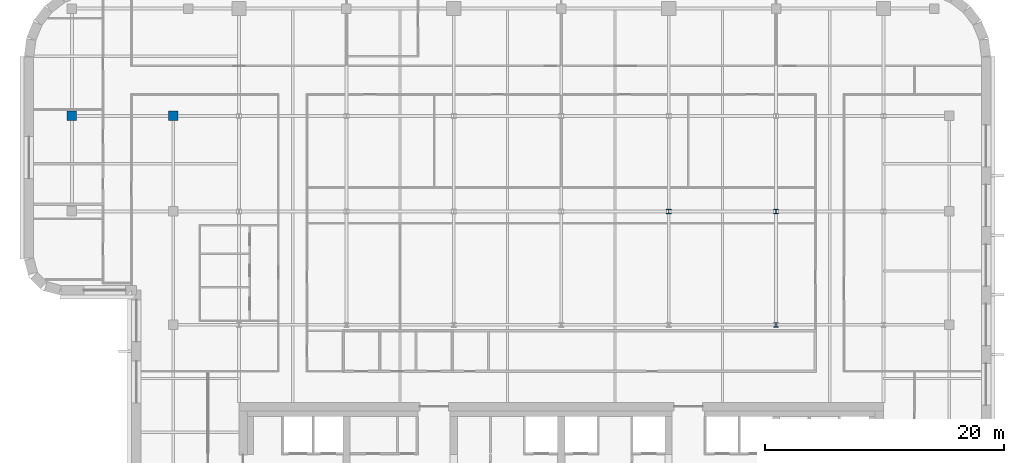
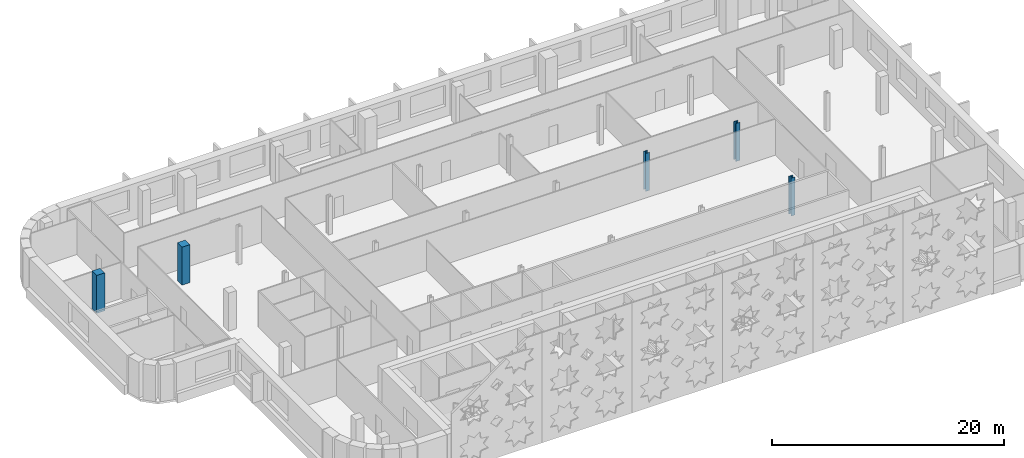
# One storey, part 2 of 18: 5 columns.
"""IFC4 building model written with IfcOpenShell, lengths in metres."""

from ifc_helpers import new_model, si_unit, direction, frame, origin, origin_2d, place, context, subcontext, project, spatial, rectangle, i_section, extrude, material, material_profile, profile_set, type_object, element, save


model = new_model("IFC4")

# Units and contexts
model_context = context("Model", 3, precision=1e-05, world=origin(), true_north=direction((0.0, 1.0)))
body_context = subcontext(model_context, "Body", "Model", "MODEL_VIEW")
ifc_project = project(units=[si_unit("LENGTHUNIT", "METRE"), si_unit("AREAUNIT", "SQUARE_METRE"), si_unit("VOLUMEUNIT", "CUBIC_METRE"), si_unit("PLANEANGLEUNIT", "RADIAN"), si_unit("MASSUNIT", "GRAM", prefix="KILO")], contexts=[model_context])

# Site, building, storey
site_placement = place(None, origin())
site = spatial("IfcSite", under=ifc_project, at=site_placement, CompositionType="ELEMENT")
building_placement = place(site_placement, origin())
building = spatial("IfcBuilding", under=site, at=building_placement, Name="Zellij Exchange Tower", CompositionType="ELEMENT")
storey_placement = place(building_placement, frame((0.0, 0.0, 240.5)))
storey = spatial("IfcBuildingStorey", under=building, at=storey_placement, Name="L56", CompositionType="ELEMENT", Elevation=240.5)

# Columns
ifc_material_1 = material(Name="Concrete C50/60", Category="concrete")
ifc_material_profile_1 = material_profile(ifc_material_1, rectangle(XDim=0.800048828125, YDim=0.800048828125, at=origin_2d()), Name="STR-COLUMN RC800x800 C50/60")
ifc_profile_set_1 = profile_set([ifc_material_profile_1], Name="Concrete C50/60")
column_type_1 = type_object("IfcColumnType", Name="STR-COLUMN RC800x800 C50/60", PredefinedType="COLUMN", material=ifc_profile_set_1)
for number, where, z_axis, x_axis, name in (
    (1, (-41.0, 22.0, 0.0), (0.0, 0.0, 1.0), (1.0, 0.0, 0.0), "C15"),
    (2, (-32.5, 22.0, 0.0), (0.0, 0.0, 1.0), (1.0, 0.0, 0.0), "C15"),
):
    element("IfcColumn", number, at=place(storey_placement, frame(where, z_axis=z_axis, x_axis=x_axis)), inside=storey, type_object=column_type_1, Name=name, PredefinedType="COLUMN", context=body_context, shape_type="SweptSolid", body=[
        extrude(rectangle(XDim=0.800048828125, YDim=0.800048828125, at=origin_2d()), origin(), (0.0, 0.0, 1.0), 4.0),
    ])
ifc_material_2 = material(Name="Structural steel ASTM A992 Gr 50", Category="steel")
ifc_material_profile_2 = material_profile(ifc_material_2, i_section(OverallWidth=0.398681640625, OverallDepth=0.385986328125, WebThickness=0.02099609375, FlangeThickness=0.033203125, at=origin_2d()), Name="W14x176")
ifc_profile_set_2 = profile_set([ifc_material_profile_2], Name="Structural steel ASTM A992 Gr 50")
column_type_2 = type_object("IfcColumnType", Name="STR-COLUMN W14x176", PredefinedType="COLUMN", material=ifc_profile_set_2)
for number, where, z_axis, x_axis, name in (
    (3, (18.0, 4.5, 0.0), (0.0, 0.0, 1.0), (1.0, 0.0, 0.0), "C2"),
    (4, (9.0, 14.0, 0.0), (0.0, 0.0, 1.0), (1.0, 0.0, 0.0), "C2"),
    (5, (18.0, 14.0, 0.0), (0.0, 0.0, 1.0), (1.0, 0.0, 0.0), "C2"),
):
    element("IfcColumn", number, at=place(storey_placement, frame(where, z_axis=z_axis, x_axis=x_axis)), inside=storey, type_object=column_type_2, Name=name, PredefinedType="COLUMN", context=body_context, shape_type="SweptSolid", body=[
        extrude(i_section(OverallWidth=0.398681640625, OverallDepth=0.385986328125, WebThickness=0.02099609375, FlangeThickness=0.033203125, at=origin_2d()), origin(), (0.0, 0.0, 1.0), 4.0),
    ])

save(model, "model.ifc")
